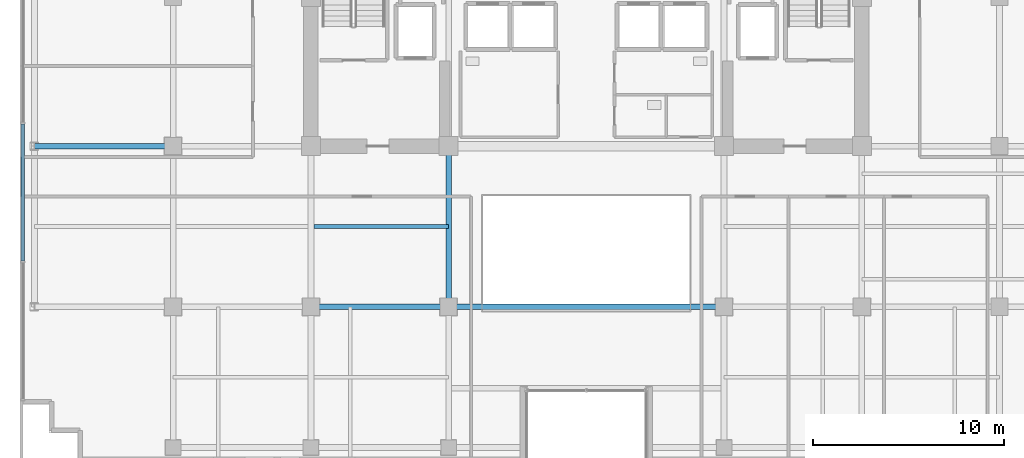
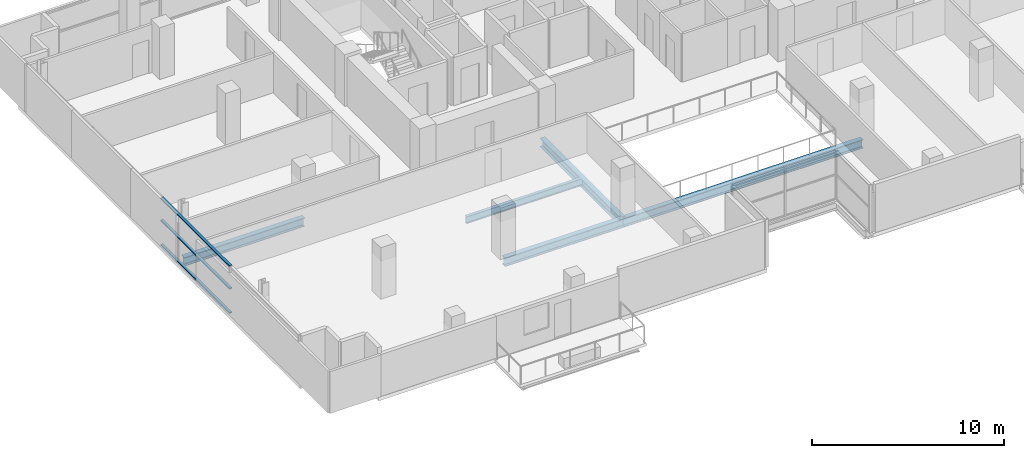
# One storey, part 7 of 27: 5 beams, 3 members, 1 element without a shape of its own.
"""IFC4 building model written with IfcOpenShell, lengths in metres."""

from ifc_helpers import new_model, si_unit, direction, frame, origin, origin_2d, place, context, subcontext, project, spatial, hollow_rectangle, i_section, extrude, source, transform, mapped, material, layer, layer_set, material_profile, profile_set, type_object, element, aggregate, save


model = new_model("IFC4")

# Units and contexts
model_context = context("Model", 3, precision=1e-05, world=origin(), true_north=direction((0.0, 1.0)))
body_context = subcontext(model_context, "Body", "Model", "MODEL_VIEW")
ifc_project = project(units=[si_unit("LENGTHUNIT", "METRE"), si_unit("AREAUNIT", "SQUARE_METRE"), si_unit("VOLUMEUNIT", "CUBIC_METRE"), si_unit("PLANEANGLEUNIT", "RADIAN"), si_unit("MASSUNIT", "GRAM", prefix="KILO")], contexts=[model_context])

# Site, building, storey
site_placement = place(None, origin())
site = spatial("IfcSite", under=ifc_project, at=site_placement, CompositionType="ELEMENT")
building_placement = place(site_placement, origin())
building = spatial("IfcBuilding", under=site, at=building_placement, Name="Zarnakvel Exchange Tower", CompositionType="ELEMENT")
storey_placement = place(building_placement, frame((0.0, 0.0, 106.60009765625)))
storey = spatial("IfcBuildingStorey", under=building, at=storey_placement, Name="L29", CompositionType="ELEMENT", Elevation=106.60009765625)

# Beams
ifc_material_1 = material(Name="Steel S355", Category="steel")
ifc_material_profile_1 = material_profile(ifc_material_1, i_section(OverallWidth=0.18994140625, OverallDepth=0.449951171875, WebThickness=0.009521484375, FlangeThickness=0.0146484375, FilletRadius=0.02099609375, at=origin_2d()))
ifc_profile_set_1 = profile_set([ifc_material_profile_1], Name="Steel S355")
beam_type_1 = type_object("IfcBeamType", Name="B-05", PredefinedType="JOIST", material=ifc_profile_set_1)
beam_1_placement = place(storey_placement, frame((-14.25, -5.39990234375, -0.4501953125), z_axis=(1.0, 0.0, 0.0), x_axis=(0.0, 1.0, 0.0)))
element("IfcBeam", 1, at=beam_1_placement, inside=storey, type_object=beam_type_1, Name="L29 Composite Floor Secondary Joist", PredefinedType="JOIST", context=body_context, shape_type="SweptSolid", body=[
    extrude(i_section(OverallWidth=0.18994140625, OverallDepth=0.449951171875, WebThickness=0.009521484375, FlangeThickness=0.0146484375, FilletRadius=0.02099609375, at=origin_2d()), origin(), (0.0, 0.0, 1.0), 7.050048828125),
])
ifc_material_profile_2 = material_profile(ifc_material_1, i_section(OverallWidth=0.300048828125, OverallDepth=0.550048828125, WebThickness=0.014892578125, FlangeThickness=0.029052734375, FilletRadius=0.027099609375, at=origin_2d()))
ifc_profile_set_2 = profile_set([ifc_material_profile_2], Name="Steel S355")
beam_type_2 = type_object("IfcBeamType", Name="G-05", PredefinedType="BEAM", material=ifc_profile_set_2)
beam_2_placement = place(storey_placement, frame((-14.39990234375, -9.60009765625, -0.5), z_axis=(1.0, 0.0, 0.0), x_axis=(0.0, 1.0, 0.0)))
element("IfcBeam", 2, at=beam_2_placement, inside=storey, type_object=beam_type_2, Name="L29 Tower E-W Frame Beam", PredefinedType="BEAM", context=body_context, shape_type="SweptSolid", body=[
    extrude(i_section(OverallWidth=0.300048828125, OverallDepth=0.550048828125, WebThickness=0.014892578125, FlangeThickness=0.029052734375, FilletRadius=0.027099609375, at=origin_2d()), origin(), (0.0, 0.0, 1.0), 7.199951171875),
])
beam_3_placement = place(storey_placement, frame((-7.199951171875, -9.60009765625, -0.5), z_axis=(1.0, 0.0, 0.0), x_axis=(0.0, 1.0, 0.0)))
element("IfcBeam", 3, at=beam_3_placement, inside=storey, type_object=beam_type_2, Name="L29 Tower E-W Frame Beam", PredefinedType="BEAM", context=body_context, shape_type="SweptSolid", body=[
    extrude(i_section(OverallWidth=0.300048828125, OverallDepth=0.550048828125, WebThickness=0.014892578125, FlangeThickness=0.029052734375, FilletRadius=0.027099609375, at=origin_2d()), origin(), (0.0, 0.0, 1.0), 14.39990234375),
])
beam_4_placement = place(storey_placement, frame((-28.85009765625, -1.199951171875, -0.5), z_axis=(1.0, 0.0, 0.0), x_axis=(0.0, 1.0, 0.0)))
element("IfcBeam", 4, at=beam_4_placement, inside=storey, type_object=beam_type_2, Name="L29 Tower E-W Frame Beam", PredefinedType="BEAM", context=body_context, shape_type="SweptSolid", body=[
    extrude(i_section(OverallWidth=0.300048828125, OverallDepth=0.550048828125, WebThickness=0.014892578125, FlangeThickness=0.029052734375, FilletRadius=0.027099609375, at=origin_2d()), origin(), (0.0, 0.0, 1.0), 7.25),
])
beam_5_placement = place(storey_placement, frame((-7.199951171875, -9.60009765625, -0.5), z_axis=(0.0, 1.0, 0.0), x_axis=(-1.0, 0.0, 0.0)))
element("IfcBeam", 5, at=beam_5_placement, inside=storey, type_object=beam_type_2, Name="L29 Tower N-S Frame Beam", PredefinedType="BEAM", context=body_context, shape_type="SweptSolid", body=[
    extrude(i_section(OverallWidth=0.300048828125, OverallDepth=0.550048828125, WebThickness=0.014892578125, FlangeThickness=0.029052734375, FilletRadius=0.027099609375, at=origin_2d()), origin(), (0.0, 0.0, 1.0), 8.400146484375),
])

# Curtain wall, members
ifc_material_2 = material(Name="Architectural Bronze Anodised Aluminium", Category="aluminium")
ifc_layer = layer(ifc_material_2, 0.199951171875)
ifc_layer_set = layer_set([ifc_layer], Name="Architectural Bronze Anodised Aluminium")
curtain_wall_type = type_object("IfcCurtainWallType", Name="CW-04", PredefinedType="NOTDEFINED", material=ifc_layer_set)
curtain_wall_placement = place(storey_placement, origin())
curtain_wall = element("IfcCurtainWall", 6, at=curtain_wall_placement, inside=storey, type_object=curtain_wall_type, Name="L29 Curtain Wall CW-L29-W1 (CW-04)", PredefinedType="NOTDEFINED")
ifc_material_profile_3 = material_profile(ifc_material_2, hollow_rectangle(XDim=0.159912109375, YDim=0.074951171875, WallThickness=0.00390625, at=origin_2d()))
ifc_profile_set_3 = profile_set([ifc_material_profile_3], Name="Architectural Bronze Anodised Aluminium")
member_type = type_object("IfcMemberType", Name="CWT-04", PredefinedType="USERDEFINED", material=ifc_profile_set_3)
shared_shape = source(origin(), body_context, "Body", "SweptSolid", [
    extrude(hollow_rectangle(XDim=0.159912109375, YDim=0.074951171875, WallThickness=0.00390625, at=origin_2d()), origin(), (0.0, 0.0, 1.0), 7.1748046875),
])
member_1_placement = place(storey_placement, frame((-29.4599609375, -7.21240234375, 0.037353515625), z_axis=(0.0, 1.0, 0.0), x_axis=(-1.0, 0.0, 0.0)))
member_1 = element("IfcMember", 7, at=member_1_placement, type_object=member_type, Name="CW-04 transom 2.1", ObjectType="TRANSOM", PredefinedType="USERDEFINED", context=body_context, shape_type="MappedRepresentation", body=[
    mapped(shared_shape, transform((0.0, 0.0, 0.0), x_axis=(1.0, 0.0, 0.0), y_axis=(0.0, 1.0, 0.0), z_axis=(0.0, 0.0, 1.0), scale=1.0)),
])
member_2_placement = place(storey_placement, frame((-29.4599609375, -7.21240234375, 1.588623046875), z_axis=(0.0, 1.0, 0.0), x_axis=(-1.0, 0.0, 0.0)))
member_2 = element("IfcMember", 8, at=member_2_placement, type_object=member_type, Name="CW-04 transom 2.2", ObjectType="TRANSOM", PredefinedType="USERDEFINED", context=body_context, shape_type="MappedRepresentation", body=[
    mapped(shared_shape, transform((0.0, 0.0, 0.0), x_axis=(1.0, 0.0, 0.0), y_axis=(0.0, 1.0, 0.0), z_axis=(0.0, 0.0, 1.0), scale=1.0)),
])
member_3_placement = place(storey_placement, frame((-29.4599609375, -7.21240234375, 3.017333984375), z_axis=(0.0, 1.0, 0.0), x_axis=(-1.0, 0.0, 0.0)))
member_3 = element("IfcMember", 9, at=member_3_placement, type_object=member_type, Name="CW-04 transom 2.3", ObjectType="TRANSOM", PredefinedType="USERDEFINED", context=body_context, shape_type="MappedRepresentation", body=[
    mapped(shared_shape, transform((0.0, 0.0, 0.0), x_axis=(1.0, 0.0, 0.0), y_axis=(0.0, 1.0, 0.0), z_axis=(0.0, 0.0, 1.0), scale=1.0)),
])
aggregate(curtain_wall, [member_1, member_2, member_3])

save(model, "model.ifc")
